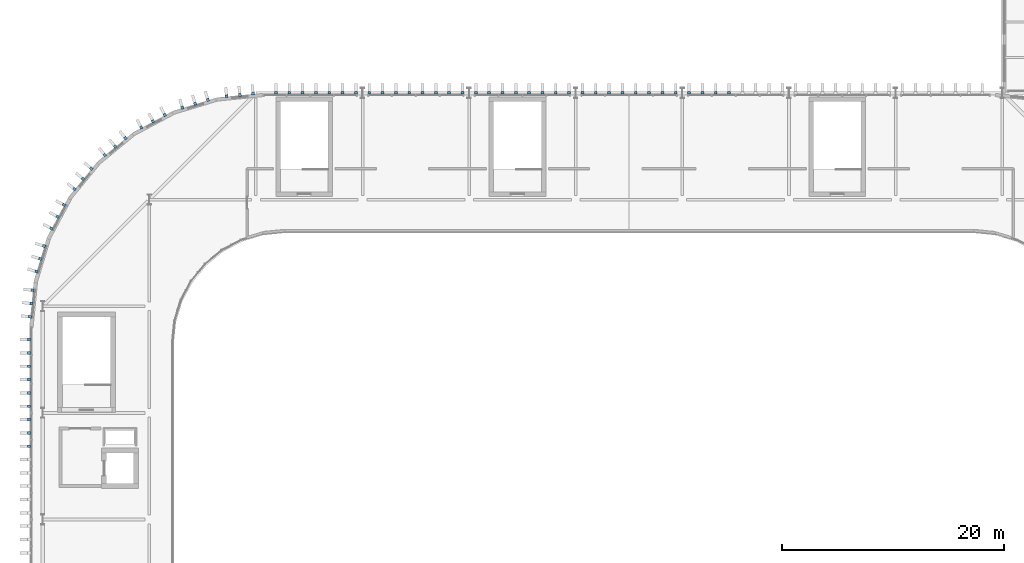
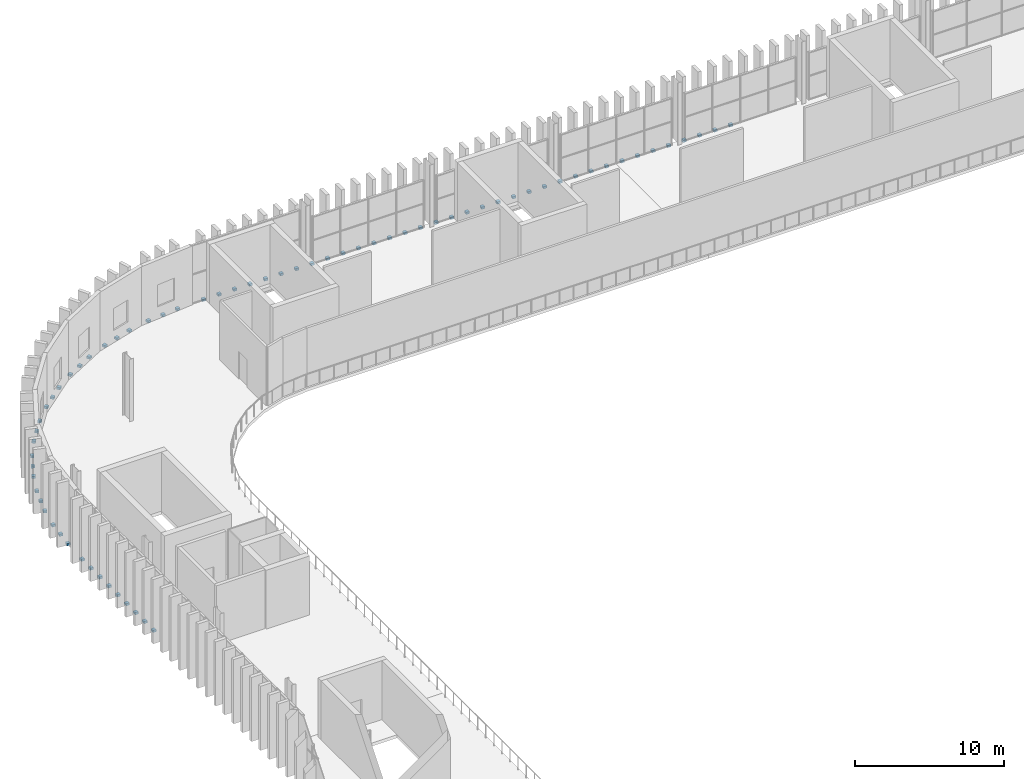
# One storey, part 40 of 45: 68 discrete accessories.
"""IFC4 building model written with IfcOpenShell, lengths in metres."""

from ifc_helpers import new_model, si_unit, direction, frame, origin, origin_2d, place, context, subcontext, project, spatial, rectangle, extrude, material, type_object, element, save


model = new_model("IFC4")

# Units and contexts
model_context = context("Model", 3, precision=1e-05, world=origin(), true_north=direction((0.0, 1.0)))
body_context = subcontext(model_context, "Body", "Model", "MODEL_VIEW")
ifc_project = project(units=[si_unit("LENGTHUNIT", "METRE"), si_unit("AREAUNIT", "SQUARE_METRE"), si_unit("VOLUMEUNIT", "CUBIC_METRE"), si_unit("PLANEANGLEUNIT", "RADIAN"), si_unit("MASSUNIT", "GRAM", prefix="KILO")], contexts=[model_context])

# Site, building, storey
site_placement = place(None, origin())
site = spatial("IfcSite", under=ifc_project, at=site_placement, CompositionType="ELEMENT")
building_placement = place(site_placement, origin())
building = spatial("IfcBuilding", under=site, at=building_placement, Name="Caelomonte Colonnade Arena", CompositionType="ELEMENT")
storey_placement = place(building_placement, frame((0.0, 0.0, 23.10009765625)))
storey = spatial("IfcBuildingStorey", under=building, at=storey_placement, Name="L05", CompositionType="ELEMENT", Elevation=23.10009765625)

# Discrete accessories
ifc_material = material(Name="Steel ASTM A572 Grade 50", Category="steel")
discrete_accessory_type = type_object("IfcDiscreteAccessoryType", Name="ENV-ACC-BRK", PredefinedType="BRACKET", material=ifc_material)
for number, where, z_axis, x_axis, name in (
    (1, (119.39990234375, 115.22998046875, -0.2099609375), (0.0, 0.0, 1.0), (-1.0, 0.0, 0.0), "V1 L05 fin support bracket 112"),
    (2, (118.199951171875, 115.22998046875, -0.2099609375), (0.0, 0.0, 1.0), (-1.0, 0.0, 0.0), "V1 L05 fin support bracket 113"),
    (3, (117.0, 115.22998046875, -0.2099609375), (0.0, 0.0, 1.0), (-1.0, 0.0, 0.0), "V1 L05 fin support bracket 114"),
    (4, (115.800048828125, 115.22998046875, -0.2099609375), (0.0, 0.0, 1.0), (-1.0, 0.0, 0.0), "V1 L05 fin support bracket 115"),
    (5, (114.60009765625, 115.22998046875, -0.2099609375), (0.0, 0.0, 1.0), (-1.0, 0.0, 0.0), "V1 L05 fin support bracket 116"),
    (6, (113.39990234375, 115.22998046875, -0.2099609375), (0.0, 0.0, 1.0), (-1.0, 0.0, 0.0), "V1 L05 fin support bracket 117"),
    (7, (112.199951171875, 115.22998046875, -0.2099609375), (0.0, 0.0, 1.0), (-1.0, 0.0, 0.0), "V1 L05 fin support bracket 118"),
    (8, (111.0, 115.22998046875, -0.2099609375), (0.0, 0.0, 1.0), (-1.0, 0.0, 0.0), "V1 L05 fin support bracket 119"),
    (9, (109.800048828125, 115.22998046875, -0.2099609375), (0.0, 0.0, 1.0), (-1.0, 0.0, 0.0), "V1 L05 fin support bracket 120"),
    (10, (108.60009765625, 115.22998046875, -0.2099609375), (0.0, 0.0, 1.0), (-1.0, 0.0, 0.0), "V1 L05 fin support bracket 121"),
    (11, (107.39990234375, 115.22998046875, -0.2099609375), (0.0, 0.0, 1.0), (-1.0, 0.0, 0.0), "V1 L05 fin support bracket 122"),
    (12, (106.199951171875, 115.22998046875, -0.2099609375), (0.0, 0.0, 1.0), (-1.0, 0.0, 0.0), "V1 L05 fin support bracket 123"),
    (13, (105.0, 115.22998046875, -0.2099609375), (0.0, 0.0, 1.0), (-1.0, 0.0, 0.0), "V1 L05 fin support bracket 124"),
    (14, (103.800048828125, 115.22998046875, -0.2099609375), (0.0, 0.0, 1.0), (-1.0, 0.0, 0.0), "V1 L05 fin support bracket 125"),
    (15, (102.60009765625, 115.22998046875, -0.2099609375), (0.0, 0.0, 1.0), (-1.0, 0.0, 0.0), "V1 L05 fin support bracket 126"),
    (16, (101.39990234375, 115.22998046875, -0.2099609375), (0.0, 0.0, 1.0), (-1.0, 0.0, 0.0), "V1 L05 fin support bracket 127"),
    (17, (100.199951171875, 115.22998046875, -0.2099609375), (0.0, 0.0, 1.0), (-1.0, 0.0, 0.0), "V1 L05 fin support bracket 128"),
    (18, (99.0, 115.22998046875, -0.2099609375), (0.0, 0.0, 1.0), (-1.0, 0.0, 0.0), "V1 L05 fin support bracket 129"),
    (19, (97.800048828125, 115.22998046875, -0.2099609375), (0.0, 0.0, 1.0), (-1.0, 0.0, 0.0), "V1 L05 fin support bracket 130"),
    (20, (96.60009765625, 115.22998046875, -0.2099609375), (0.0, 0.0, 1.0), (-1.0, 0.0, 0.0), "V1 L05 fin support bracket 131"),
    (21, (95.39990234375, 115.22998046875, -0.2099609375), (0.0, 0.0, 1.0), (-1.0, 0.0, 0.0), "V1 L05 fin support bracket 132"),
    (22, (94.199951171875, 115.22998046875, -0.2099609375), (0.0, 0.0, 1.0), (-1.0, 0.0, 0.0), "V1 L05 fin support bracket 133"),
    (23, (93.0, 115.22998046875, -0.2099609375), (0.0, 0.0, 1.0), (-1.0, 0.0, 0.0), "V1 L05 fin support bracket 134"),
    (24, (91.800048828125, 115.22998046875, -0.2099609375), (0.0, 0.0, 1.0), (-1.0, 0.0, 0.0), "V1 L05 fin support bracket 135"),
    (25, (90.60009765625, 115.22998046875, -0.2099609375), (0.0, 0.0, 1.0), (-1.0, 0.0, 0.0), "V1 L05 fin support bracket 136"),
    (26, (89.39990234375, 115.22998046875, -0.2099609375), (0.0, 0.0, 1.0), (-1.0, 0.0, 0.0), "V1 L05 fin support bracket 137"),
    (27, (88.199951171875, 115.22998046875, -0.2099609375), (0.0, 0.0, 1.0), (-1.0, 0.0, 0.0), "V1 L05 fin support bracket 138"),
    (28, (87.0, 115.22998046875, -0.2099609375), (0.0, 0.0, 1.0), (-1.0, 0.0, 0.0), "V1 L05 fin support bracket 139"),
    (29, (85.800048828125, 115.22998046875, -0.2099609375), (0.0, 0.0, 1.0), (-1.0, 0.0, 0.0), "V1 L05 fin support bracket 140"),
    (30, (84.60009765625, 115.22998046875, -0.2099609375), (0.0, 0.0, 1.0), (-1.0, 0.0, 0.0), "V1 L05 fin support bracket 141"),
    (31, (83.39990234375, 115.22998046875, -0.2099609375), (0.0, 0.0, 1.0), (-1.0, 0.0, 0.0), "V1 L05 fin support bracket 142"),
    (32, (82.199951171875, 115.22998046875, -0.2099609375), (0.0, 0.0, 1.0), (-1.0, 0.0, 0.0), "V1 L05 fin support bracket 143"),
    (33, (81.0, 115.22998046875, -0.2099609375), (0.0, 0.0, 1.0), (-1.0, 0.0, 0.0), "V1 L05 fin support bracket 144"),
    (34, (79.800048828125, 115.22998046875, -0.2099609375), (0.0, 0.0, 1.0), (-1.0, 0.0, 0.0), "V1 L05 fin support bracket 145"),
    (35, (78.60009765625, 115.22998046875, -0.2099609375), (0.0, 0.0, 1.0), (-1.0, 0.0, 0.0), "V1 L05 fin support bracket 146"),
    (36, (76.542724609375, 115.145751953125, -0.2099609375), (0.0, 0.0, 1.0), (-0.995184897743, -0.098015403404, 0.0), "V1 L05 fin support bracket 147"),
    (37, (75.3486328125, 115.028076171875, -0.2099609375), (0.0, 0.0, 1.0), (-0.995184897743, -0.098015403404, 0.0), "V1 L05 fin support bracket 148"),
    (38, (74.154296875, 114.910400390625, -0.2099609375), (0.0, 0.0, 1.0), (-0.995184897743, -0.098015403404, 0.0), "V1 L05 fin support bracket 149"),
    (39, (72.472900390625, 114.575927734375, -0.2099609375), (0.0, 0.0, 1.0), (-0.956942868907, -0.290276326364, 0.0), "V1 L05 fin support bracket 150"),
    (40, (71.32470703125, 114.227783203125, -0.2099609375), (0.0, 0.0, 1.0), (-0.956942868907, -0.290276326364, 0.0), "V1 L05 fin support bracket 151"),
    (41, (70.17626953125, 113.87939453125, -0.2099609375), (0.0, 0.0, 1.0), (-0.956942868907, -0.290276326364, 0.0), "V1 L05 fin support bracket 152"),
    (42, (68.592529296875, 113.223388671875, -0.2099609375), (0.0, 0.0, 1.0), (-0.881921264348, -0.471396736826, 0.0), "V1 L05 fin support bracket 153"),
    (43, (67.5341796875, 112.65771484375, -0.2099609375), (0.0, 0.0, 1.0), (-0.881921264348, -0.471396736826, 0.0), "V1 L05 fin support bracket 154"),
    (44, (66.475830078125, 112.092041015625, -0.2099609375), (0.0, 0.0, 1.0), (-0.881921264348, -0.471396736826, 0.0), "V1 L05 fin support bracket 155"),
    (45, (65.050537109375, 111.139404296875, -0.2099609375), (0.0, 0.0, 1.0), (-0.77299384472, -0.634413521313, 0.0), "V1 L05 fin support bracket 156"),
    (46, (64.122802734375, 110.378173828125, -0.2099609375), (0.0, 0.0, 1.0), (-0.77299384472, -0.634413521313, 0.0), "V1 L05 fin support bracket 157"),
    (47, (63.1953125, 109.616943359375, -0.2099609375), (0.0, 0.0, 1.0), (-0.77299384472, -0.634413521313, 0.0), "V1 L05 fin support bracket 158"),
    (48, (61.983154296875, 108.40478515625, -0.2099609375), (0.0, 0.0, 1.0), (-0.634413521313, -0.77299384472, 0.0), "V1 L05 fin support bracket 159"),
    (49, (61.2216796875, 107.47705078125, -0.2099609375), (0.0, 0.0, 1.0), (-0.634413521313, -0.77299384472, 0.0), "V1 L05 fin support bracket 160"),
    (50, (60.46044921875, 106.549560546875, -0.2099609375), (0.0, 0.0, 1.0), (-0.634413521313, -0.77299384472, 0.0), "V1 L05 fin support bracket 161"),
    (51, (59.508056640625, 105.1240234375, -0.2099609375), (0.0, 0.0, 1.0), (-0.471396736826, -0.881921264348, 0.0), "V1 L05 fin support bracket 162"),
    (52, (58.9423828125, 104.06591796875, -0.2099609375), (0.0, 0.0, 1.0), (-0.471396736826, -0.881921264348, 0.0), "V1 L05 fin support bracket 163"),
    (53, (58.376708984375, 103.007568359375, -0.2099609375), (0.0, 0.0, 1.0), (-0.471396736826, -0.881921264348, 0.0), "V1 L05 fin support bracket 164"),
    (54, (57.720703125, 101.423583984375, -0.2099609375), (0.0, 0.0, 1.0), (-0.290276326364, -0.956942868907, 0.0), "V1 L05 fin support bracket 165"),
    (55, (57.372314453125, 100.275390625, -0.2099609375), (0.0, 0.0, 1.0), (-0.290276326364, -0.956942868907, 0.0), "V1 L05 fin support bracket 166"),
    (56, (57.02392578125, 99.126953125, -0.2099609375), (0.0, 0.0, 1.0), (-0.290276326364, -0.956942868907, 0.0), "V1 L05 fin support bracket 167"),
    (57, (56.689453125, 97.445556640625, -0.2099609375), (0.0, 0.0, 1.0), (-0.098015403404, -0.995184897743, 0.0), "V1 L05 fin support bracket 168"),
    (58, (56.572021484375, 96.25146484375, -0.2099609375), (0.0, 0.0, 1.0), (-0.098015403404, -0.995184897743, 0.0), "V1 L05 fin support bracket 169"),
    (59, (56.454345703125, 95.05712890625, -0.2099609375), (0.0, 0.0, 1.0), (-0.098015403404, -0.995184897743, 0.0), "V1 L05 fin support bracket 170"),
    (60, (56.3701171875, 93.0, -0.2099609375), (0.0, 0.0, 1.0), (0.0, -1.0, 0.0), "V1 L05 fin support bracket 171"),
    (61, (56.3701171875, 91.800048828125, -0.2099609375), (0.0, 0.0, 1.0), (0.0, -1.0, 0.0), "V1 L05 fin support bracket 172"),
    (62, (56.3701171875, 90.60009765625, -0.2099609375), (0.0, 0.0, 1.0), (0.0, -1.0, 0.0), "V1 L05 fin support bracket 173"),
    (63, (56.3701171875, 89.39990234375, -0.2099609375), (0.0, 0.0, 1.0), (0.0, -1.0, 0.0), "V1 L05 fin support bracket 174"),
    (64, (56.3701171875, 88.199951171875, -0.2099609375), (0.0, 0.0, 1.0), (0.0, -1.0, 0.0), "V1 L05 fin support bracket 175"),
    (65, (56.3701171875, 87.0, -0.2099609375), (0.0, 0.0, 1.0), (0.0, -1.0, 0.0), "V1 L05 fin support bracket 176"),
    (66, (56.3701171875, 85.800048828125, -0.2099609375), (0.0, 0.0, 1.0), (0.0, -1.0, 0.0), "V1 L05 fin support bracket 177"),
    (67, (56.3701171875, 84.60009765625, -0.2099609375), (0.0, 0.0, 1.0), (0.0, -1.0, 0.0), "V1 L05 fin support bracket 178"),
    (68, (56.3701171875, 83.39990234375, -0.2099609375), (0.0, 0.0, 1.0), (0.0, -1.0, 0.0), "V1 L05 fin support bracket 179"),
):
    element("IfcDiscreteAccessory", number, at=place(storey_placement, frame(where, z_axis=z_axis, x_axis=x_axis)), inside=storey, type_object=discrete_accessory_type, Name=name, PredefinedType="BRACKET", context=body_context, shape_type="SweptSolid", body=[
        extrude(rectangle(XDim=0.260009765625, YDim=0.260009765625, at=origin_2d()), origin(), (0.0, 0.0, 1.0), 0.179931640625),
    ])

save(model, "model.ifc")
